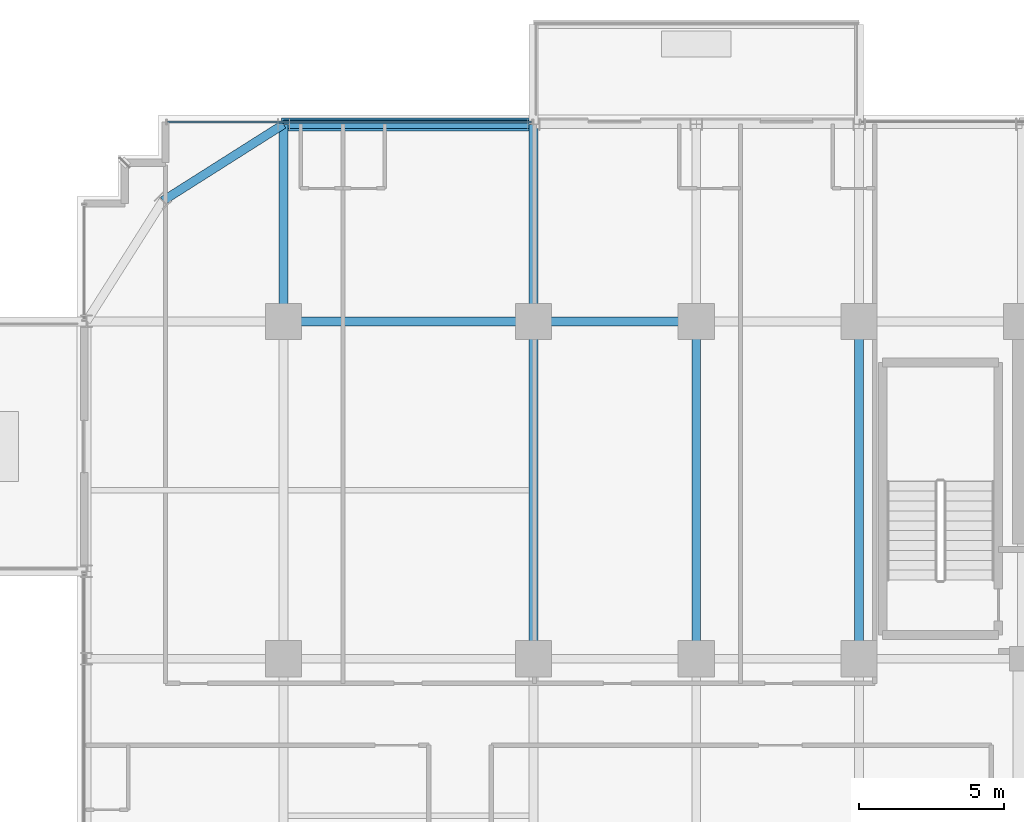
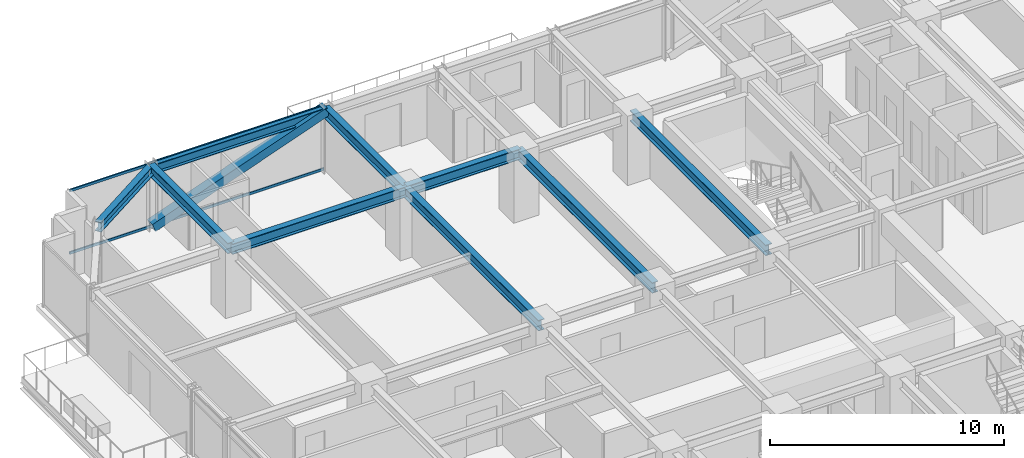
# One storey, part 19 of 39: 9 beams, 3 members, 1 element without a shape of its own.
"""IFC4 building model written with IfcOpenShell, lengths in metres."""

from ifc_helpers import new_model, si_unit, direction, frame, origin, origin_2d, place, context, subcontext, project, spatial, hollow_rectangle, i_section, extrude, source, transform, mapped, material, material_profile, profile_set, type_object, element, aggregate, save


model = new_model("IFC4")

# Units and contexts
model_context = context("Model", 3, precision=1e-05, world=origin(), true_north=direction((0.0, 1.0)))
body_context = subcontext(model_context, "Body", "Model", "MODEL_VIEW")
ifc_project = project(units=[si_unit("LENGTHUNIT", "METRE"), si_unit("AREAUNIT", "SQUARE_METRE"), si_unit("VOLUMEUNIT", "CUBIC_METRE"), si_unit("PLANEANGLEUNIT", "RADIAN"), si_unit("MASSUNIT", "GRAM", prefix="KILO")], contexts=[model_context])

# Site, building, storey
site_placement = place(None, origin())
site = spatial("IfcSite", under=ifc_project, at=site_placement, CompositionType="ELEMENT")
building_placement = place(site_placement, origin())
building = spatial("IfcBuilding", under=site, at=building_placement, Name="Nahalor Promenade Grand Hotel", CompositionType="ELEMENT")
storey_placement = place(building_placement, frame((0.0, 0.0, 135.75)))
storey = spatial("IfcBuildingStorey", under=building, at=storey_placement, Name="L34", CompositionType="ELEMENT", Elevation=135.75)

# Beams
ifc_material_1 = material(Name="Steel S355JR", Category="steel")
ifc_material_profile_1 = material_profile(ifc_material_1, i_section(OverallWidth=0.3, OverallDepth=0.5, WebThickness=0.0145, FlangeThickness=0.028, at=origin_2d()), Name="HEB 500")
ifc_profile_set_1 = profile_set([ifc_material_profile_1], Name="Steel S355JR")
beam_type_1 = type_object("IfcBeamType", Name="Beam-Spandrel-HEB500", PredefinedType="SPANDREL", material=ifc_profile_set_1)
shared_shape_1 = source(origin(), body_context, "Body", "SweptSolid", [
    extrude(i_section(OverallWidth=0.3, OverallDepth=0.5, WebThickness=0.0145, FlangeThickness=0.028, at=origin_2d()), origin(), (0.0, 0.0, 1.0), 8.60009765625),
])
beam_1_placement = place(storey_placement, frame((-17.0, 23.780029296875, 3.1298828125), z_axis=(1.0, 0.0, 0.0), x_axis=(0.0, 1.0, 0.0)))
element("IfcBeam", 1, at=beam_1_placement, inside=storey, type_object=beam_type_1, Name="BM-L34-SP-N-0", PredefinedType="SPANDREL", context=body_context, shape_type="MappedRepresentation", body=[
    mapped(shared_shape_1, transform((0.0, 0.0, 0.0), scale=1.0)),
])
shared_shape_2 = source(origin(), body_context, "Body", "SweptSolid", [
    extrude(i_section(OverallWidth=0.3, OverallDepth=0.5, WebThickness=0.0145, FlangeThickness=0.028, at=origin_2d()), origin(), (0.0, 0.0, 1.0), 4.9130859375),
])
beam_2_placement = place(storey_placement, frame((-17.0, 23.780029296875, 3.1298828125), z_axis=(-0.844648325505, -0.535321591403, 0.0), x_axis=(0.535321591403, -0.844648325505, 0.0)))
element("IfcBeam", 2, at=beam_2_placement, inside=storey, type_object=beam_type_1, Name="BM-L34-SPC-NW-1", PredefinedType="SPANDREL", context=body_context, shape_type="MappedRepresentation", body=[
    mapped(shared_shape_2, transform((0.0, 0.0, 0.0), scale=1.0)),
])
ifc_material_profile_2 = material_profile(ifc_material_1, i_section(OverallWidth=0.3, OverallDepth=0.55, WebThickness=0.015, FlangeThickness=0.029, at=origin_2d()), Name="HEB 550")
ifc_profile_set_2 = profile_set([ifc_material_profile_2], Name="Steel S355JR")
beam_type_2 = type_object("IfcBeamType", Name="Beam-Girder-HEB550", PredefinedType="BEAM", material=ifc_profile_set_2)
shared_shape_3 = source(origin(), body_context, "Body", "SweptSolid", [
    extrude(i_section(OverallWidth=0.3, OverallDepth=0.55, WebThickness=0.015, FlangeThickness=0.029, at=origin_2d()), origin(), (0.0, 0.0, 1.0), 6.780029296875),
])
for number, where, z_axis, x_axis, name in (
    (3, (-17.0, 17.0, 3.10498046875), (0.0, 1.0, 0.0), (-1.0, 0.0, 0.0), "BM-L34-GY-0-4"),
    (4, (-8.39990234375, 17.0, 3.10498046875), (0.0, 1.0, 0.0), (-1.0, 0.0, 0.0), "BM-L34-GY-1-4"),
):
    element("IfcBeam", number, at=place(storey_placement, frame(where, z_axis=z_axis, x_axis=x_axis)), inside=storey, type_object=beam_type_2, Name=name, PredefinedType="BEAM", context=body_context, shape_type="MappedRepresentation", body=[
        mapped(shared_shape_3, transform((0.0, 0.0, 0.0), scale=1.0)),
    ])
shared_shape_4 = source(origin(), body_context, "Body", "SweptSolid", [
    extrude(i_section(OverallWidth=0.3, OverallDepth=0.55, WebThickness=0.015, FlangeThickness=0.029, at=origin_2d()), origin(), (0.0, 0.0, 1.0), 8.60009765625),
])
beam_3_placement = place(storey_placement, frame((-17.0, 17.0, 3.10498046875), z_axis=(1.0, 0.0, 0.0), x_axis=(0.0, 1.0, 0.0)))
element("IfcBeam", 5, at=beam_3_placement, inside=storey, type_object=beam_type_2, Name="BM-L34-GX-3-1", PredefinedType="BEAM", context=body_context, shape_type="MappedRepresentation", body=[
    mapped(shared_shape_4, transform((0.0, 0.0, 0.0), scale=1.0)),
])
shared_shape_5 = source(origin(), body_context, "Body", "SweptSolid", [
    extrude(i_section(OverallWidth=0.3, OverallDepth=0.55, WebThickness=0.015, FlangeThickness=0.029, at=origin_2d()), origin(), (0.0, 0.0, 1.0), 5.599853515625),
])
beam_4_placement = place(storey_placement, frame((-8.39990234375, 17.0, 3.10498046875), z_axis=(1.0, 0.0, 0.0), x_axis=(0.0, 1.0, 0.0)))
element("IfcBeam", 6, at=beam_4_placement, inside=storey, type_object=beam_type_2, Name="BM-L34-GX-3-2", PredefinedType="BEAM", context=body_context, shape_type="MappedRepresentation", body=[
    mapped(shared_shape_5, transform((0.0, 0.0, 0.0), scale=1.0)),
])
shared_shape_6 = source(origin(), body_context, "Body", "SweptSolid", [
    extrude(i_section(OverallWidth=0.3, OverallDepth=0.55, WebThickness=0.015, FlangeThickness=0.029, at=origin_2d()), origin(), (0.0, 0.0, 1.0), 11.60009765625),
])
for number, where, z_axis, x_axis, name in (
    (7, (-8.39990234375, 5.39990234375, 3.10498046875), (0.0, 1.0, 0.0), (-1.0, 0.0, 0.0), "BM-L34-GY-1-3"),
    (8, (-2.800048828125, 5.39990234375, 3.10498046875), (0.0, 1.0, 0.0), (-1.0, 0.0, 0.0), "BM-L34-GY-2-3"),
    (9, (2.800048828125, 5.39990234375, 3.10498046875), (0.0, 1.0, 0.0), (-1.0, 0.0, 0.0), "BM-L34-GY-3-3"),
):
    element("IfcBeam", number, at=place(storey_placement, frame(where, z_axis=z_axis, x_axis=x_axis)), inside=storey, type_object=beam_type_2, Name=name, PredefinedType="BEAM", context=body_context, shape_type="MappedRepresentation", body=[
        mapped(shared_shape_6, transform((0.0, 0.0, 0.0), scale=1.0)),
    ])

# Member
ifc_material_2 = material(Name="Steel S355J2", Category="steel")
ifc_material_profile_3 = material_profile(ifc_material_2, hollow_rectangle(XDim=0.45, YDim=0.45, WallThickness=0.025, at=origin_2d()), Name="SHS 450x450x25")
ifc_profile_set_3 = profile_set([ifc_material_profile_3], Name="Steel S355J2")
member_type_1 = type_object("IfcMemberType", Name="Mem-ExoBrace-SHS450", PredefinedType="BRACE", material=ifc_profile_set_3)
shared_shape_7 = source(origin(), body_context, "Body", "SweptSolid", [
    extrude(hollow_rectangle(XDim=0.45, YDim=0.45, WallThickness=0.025, at=origin_2d()), origin(), (0.0, 0.0, 1.0), 9.135009765625),
])
member_1_placement = place(storey_placement, frame((-17.0, 23.780029296875, 0.14990234375), z_axis=(0.941442840152, 0.0, 0.337172624521), x_axis=(0.0, 1.0, 0.0)))
element("IfcMember", 10, at=member_1_placement, inside=storey, type_object=member_type_1, Name="EXO-L34-N-0", PredefinedType="BRACE", context=body_context, shape_type="MappedRepresentation", body=[
    mapped(shared_shape_7, transform((0.0, 0.0, 0.0), scale=1.0)),
])

# Curtain wall, members
ifc_material_3 = material(Name="Anodised Bronze Aluminium EN AW-6063 T6", Category="aluminium")
curtain_wall_type = type_object("IfcCurtainWallType", Name="CW2 Typical Hotel Flush Bronze Unitised Curtain Wall", PredefinedType="USERDEFINED", material=ifc_material_3)
curtain_wall_placement = place(storey_placement, origin())
curtain_wall = element("IfcCurtainWall", 11, at=curtain_wall_placement, inside=storey, type_object=curtain_wall_type, Name="L34 Curtain Wall CW-L34-N-1", ObjectType="UNITISED_CURTAIN_WALL", PredefinedType="USERDEFINED")
ifc_material_profile_4 = material_profile(ifc_material_3, hollow_rectangle(XDim=0.065, YDim=0.13, WallThickness=0.004, at=origin_2d()), Name="CWT 65x130x4")
ifc_profile_set_4 = profile_set([ifc_material_profile_4], Name="Anodised Bronze Aluminium EN AW-6063 T6")
member_type_2 = type_object("IfcMemberType", Name="CWT2 Typical Bronze Transom 65x130", PredefinedType="USERDEFINED", material=ifc_profile_set_4)
shared_shape_8 = source(origin(), body_context, "Body", "SweptSolid", [
    extrude(hollow_rectangle(XDim=0.065, YDim=0.13, WallThickness=0.004, at=origin_2d()), origin(), (0.0, 0.0, 1.0), 12.530029296875),
])
member_2_placement = place(storey_placement, frame((-20.9951171875, 23.860107421875, 0.06494140625), z_axis=(1.0, 0.0, 0.0), x_axis=(0.0, 1.0, 0.0)))
member_2 = element("IfcMember", 12, at=member_2_placement, type_object=member_type_2, Name="CW-L34-N-1 Transom 0-0", ObjectType="TRANSOM", PredefinedType="USERDEFINED", context=body_context, shape_type="MappedRepresentation", body=[
    mapped(shared_shape_8, transform((0.0, 0.0, 0.0), scale=1.0)),
])
member_3_placement = place(storey_placement, frame((-20.9951171875, 23.860107421875, 3.31494140625), z_axis=(1.0, 0.0, 0.0), x_axis=(0.0, 1.0, 0.0)))
member_3 = element("IfcMember", 13, at=member_3_placement, type_object=member_type_2, Name="CW-L34-N-1 Transom 0-1", ObjectType="TRANSOM", PredefinedType="USERDEFINED", context=body_context, shape_type="MappedRepresentation", body=[
    mapped(shared_shape_8, transform((0.0, 0.0, 0.0), scale=1.0)),
])
aggregate(curtain_wall, [member_2, member_3])

save(model, "model.ifc")
